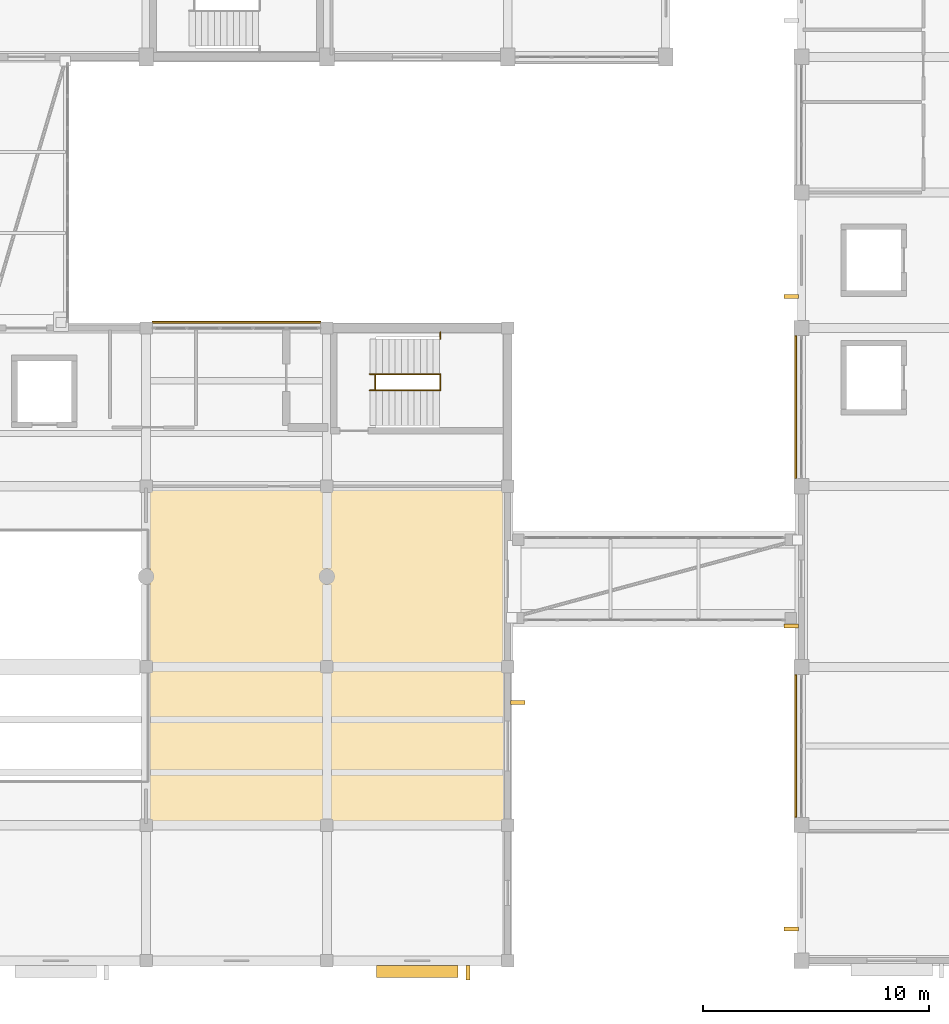
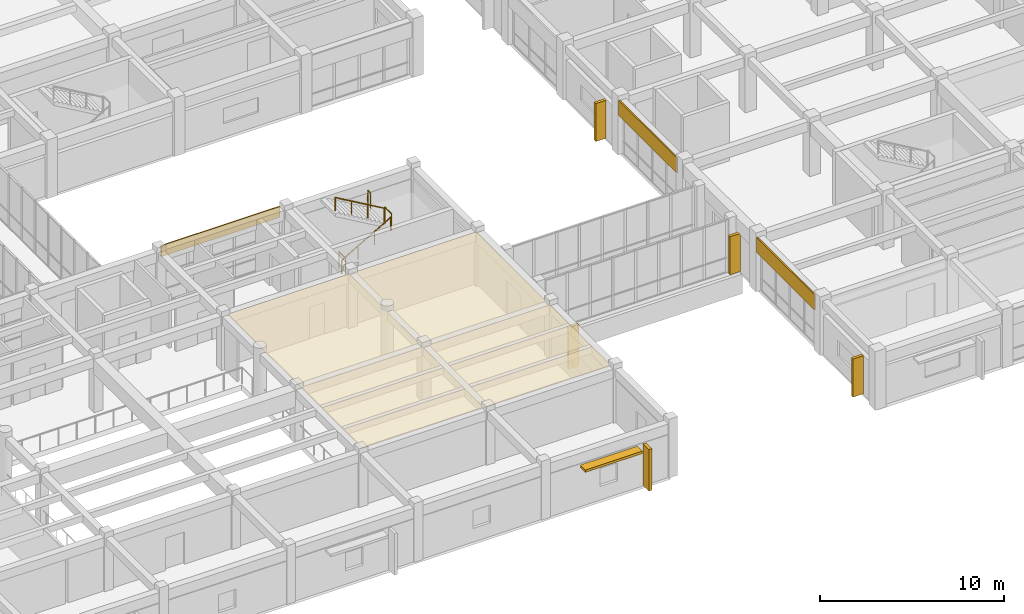
# One storey, part 61 of 66: 6 shading devices, 5 railings, 4 coverings.
"""IFC4 building model written with IfcOpenShell, lengths in metres."""

from ifc_helpers import new_model, si_unit, direction, frame, origin, origin_2d, place, context, subcontext, project, spatial, polyline, rectangle, circle, outline, extrude, material, layer, layer_set, type_object, element, save


model = new_model("IFC4")

# Units and contexts
model_context = context("Model", 3, precision=1e-05, world=origin(), true_north=direction((0.0, 1.0)))
body_context = subcontext(model_context, "Body", "Model", "MODEL_VIEW")
ifc_project = project(units=[si_unit("LENGTHUNIT", "METRE"), si_unit("AREAUNIT", "SQUARE_METRE"), si_unit("VOLUMEUNIT", "CUBIC_METRE"), si_unit("PLANEANGLEUNIT", "RADIAN"), si_unit("MASSUNIT", "GRAM", prefix="KILO")], contexts=[model_context])

# Site, building, storey
site_placement = place(None, origin())
site = spatial("IfcSite", under=ifc_project, at=site_placement, CompositionType="ELEMENT")
building_placement = place(site_placement, origin())
building = spatial("IfcBuilding", under=site, at=building_placement, Name="Naurynzar Civic Courthouse", CompositionType="ELEMENT")
storey_placement = place(building_placement, frame((0.0, 0.0, 14.39990234375)))
storey = spatial("IfcBuildingStorey", under=building, at=storey_placement, Name="L04", CompositionType="ELEMENT", Elevation=14.39990234375)

# Coverings
ifc_material_1 = material(Name="Mineral Fibre Acoustic Ceiling")
ifc_layer_1 = layer(ifc_material_1, 0.030029296875)
ifc_layer_set_1 = layer_set([ifc_layer_1], Name="CEIL-MINERAL-30")
covering_type_1 = type_object("IfcCoveringType", Name="CEIL-MINERAL-30", PredefinedType="CEILING", material=ifc_layer_set_1)
covering_1_placement = place(storey_placement, frame((0.0, 0.0, 3.51513671875)))
element("IfcCovering", 1, at=covering_1_placement, inside=storey, type_object=covering_type_1, Name="Acoustic suspended ceiling Law Library Reading Room East", PredefinedType="CEILING", context=body_context, shape_type="SweptSolid", body=[
    extrude(outline(polyline([(101.159912109375, 10.159912109375), (101.159912109375, 24.840087890625), (116.840087890625, 24.840087890625), (116.840087890625, 10.159912109375), (101.159912109375, 10.159912109375)])), origin(), (0.0, 0.0, 1.0), 0.030029296875),
])
ifc_material_2 = material(Name="Precast concrete C40/50", Category="concrete")
ifc_layer_2 = layer(ifc_material_2, 0.080078125)
ifc_layer_set_2 = layer_set([ifc_layer_2], Name="COV-CLAD-PRECAST-80")
covering_type_2 = type_object("IfcCoveringType", Name="COV-CLAD-PRECAST-80", PredefinedType="CLADDING", material=ifc_layer_set_2)
covering_2_placement = place(storey_placement, frame((105.0, 32.2548828125, 2.84033203125), z_axis=(0.0, 0.0, 1.0), x_axis=(1.0, 0.0, 0.0)))
element("IfcCovering", 2, at=covering_2_placement, inside=storey, type_object=covering_type_2, Name="V3 precast spandrel cladding 72", PredefinedType="CLADDING", context=body_context, shape_type="SweptSolid", body=[
    extrude(rectangle(XDim=7.449951171875, YDim=0.080078125, at=origin_2d()), origin(), (0.0, 0.0, 1.0), 0.719970703125),
])
for number, where, z_axis, x_axis, name in (
    (3, (129.7451171875, 13.5, 2.60986328125), (0.0, 0.0, 1.0), (0.0, 1.0, 0.0), "V5 precast spandrel cladding 97"),
    (4, (129.7451171875, 28.5, 2.60986328125), (0.0, 0.0, 1.0), (0.0, 1.0, 0.0), "V5 precast spandrel cladding 98"),
):
    element("IfcCovering", number, at=place(storey_placement, frame(where, z_axis=z_axis, x_axis=x_axis)), inside=storey, type_object=covering_type_2, Name=name, PredefinedType="CLADDING", context=body_context, shape_type="SweptSolid", body=[
        extrude(rectangle(XDim=6.324951171875, YDim=0.080078125, at=origin_2d()), origin(), (0.0, 0.0, 1.0), 1.010009765625),
    ])

# Railings
ifc_material_3 = material(Name="Brushed Stainless Steel 304", Category="steel")
railing_type_1 = type_object("IfcRailingType", Name="RAIL-BAL-1100", PredefinedType="BALUSTRADE", material=ifc_material_3)
for number, where, name in (
    (5, (111.139892578125, 29.239990234375, 0.0), "Stair ST-V3B floor well slot guard L04"),
    (6, (114.02001953125, 29.239990234375, 1.9501953125), "Stair ST-V3B-L04 half-landing well guard"),
):
    element("IfcRailing", number, at=place(storey_placement, frame(where)), inside=storey, type_object=railing_type_1, Name=name, PredefinedType="BALUSTRADE", context=body_context, shape_type="SweptSolid", body=[
        extrude(circle(Radius=0.02392578125, at=origin_2d()), frame((0.0, 0.0, 1.09619140625), z_axis=(0.0, 1.0, 0.0), x_axis=(-1.0, 0.0, 0.0)), (0.0, 0.0, 1.0), 0.719970703125),
        extrude(circle(Radius=0.02099609375, at=origin_2d()), origin(), (0.0, 0.0, 1.0), 1.072021484375),
        extrude(circle(Radius=0.02099609375, at=origin_2d()), frame((0.0, 0.719970703125, 0.0)), (0.0, 0.0, 1.0), 1.072021484375),
    ])
railing_1_placement = place(storey_placement, frame((114.02001953125, 31.52001953125, 1.9501953125)))
element("IfcRailing", 7, at=railing_1_placement, inside=storey, type_object=railing_type_1, Name="Stair ST-V3B-L04 half-landing north slot guard", PredefinedType="BALUSTRADE", context=body_context, shape_type="SweptSolid", body=[
    extrude(circle(Radius=0.02392578125, at=origin_2d()), frame((0.0, 0.0, 1.09619140625), z_axis=(0.0, 1.0, 0.0), x_axis=(-1.0, 0.0, 0.0)), (0.0, 0.0, 1.0), 0.284912109375),
    extrude(circle(Radius=0.02099609375, at=origin_2d()), origin(), (0.0, 0.0, 1.0), 1.072021484375),
    extrude(circle(Radius=0.02099609375, at=origin_2d()), frame((0.0, 0.284912109375, 0.0)), (0.0, 0.0, 1.0), 1.072021484375),
])
ifc_material_4 = material(Name="Brushed Stainless Steel 304", Category="steel")
railing_type_2 = type_object("IfcRailingType", Name="RAIL-HR-900", PredefinedType="HANDRAIL", material=ifc_material_4)
railing_2_placement = place(storey_placement, frame((110.89990234375, 29.239990234375, 0.16259765625)))
element("IfcRailing", 8, at=railing_2_placement, inside=storey, type_object=railing_type_2, Name="Stair ST-V3B-L04 flight 1 handrail", PredefinedType="HANDRAIL", context=body_context, shape_type="SweptSolid", body=[
    extrude(circle(Radius=0.02392578125, at=origin_2d()), frame((0.0, 0.0, 0.8759765625), z_axis=(0.864890721111, 0.0, 0.501960198159), x_axis=(0.0, 1.0, 0.0)), (0.0, 0.0, 1.0), 3.561279296875),
    extrude(circle(Radius=0.02099609375, at=origin_2d()), origin(), (0.0, 0.0, 1.0), 0.851806640625),
    extrude(circle(Radius=0.02099609375, at=origin_2d()), frame((1.026611328125, 0.0, 0.595947265625)), (0.0, 0.0, 1.0), 0.851806640625),
    extrude(circle(Radius=0.02099609375, at=origin_2d()), frame((2.053466796875, 0.0, 1.191650390625)), (0.0, 0.0, 1.0), 0.851806640625),
    extrude(circle(Radius=0.02099609375, at=origin_2d()), frame((3.080078125, 0.0, 1.78759765625)), (0.0, 0.0, 1.0), 0.851806640625),
])
railing_3_placement = place(storey_placement, frame((113.97998046875, 29.9599609375, 2.112548828125)))
element("IfcRailing", 9, at=railing_3_placement, inside=storey, type_object=railing_type_2, Name="Stair ST-V3B-L04 flight 2 handrail", PredefinedType="HANDRAIL", context=body_context, shape_type="SweptSolid", body=[
    extrude(circle(Radius=0.02392578125, at=origin_2d()), frame((0.0, 0.0, 0.8759765625), z_axis=(-0.864890721111, 0.0, 0.501960198159), x_axis=(0.0, -1.0, 0.0)), (0.0, 0.0, 1.0), 3.561279296875),
    extrude(circle(Radius=0.02099609375, at=origin_2d()), origin(), (0.0, 0.0, 1.0), 0.851806640625),
    extrude(circle(Radius=0.02099609375, at=origin_2d()), frame((-1.026611328125, 0.0, 0.595947265625)), (0.0, 0.0, 1.0), 0.851806640625),
    extrude(circle(Radius=0.02099609375, at=origin_2d()), frame((-2.053466796875, 0.0, 1.191650390625)), (0.0, 0.0, 1.0), 0.851806640625),
    extrude(circle(Radius=0.02099609375, at=origin_2d()), frame((-3.080078125, 0.0, 1.78759765625)), (0.0, 0.0, 1.0), 0.851806640625),
])

# Shading devices
ifc_material_5 = material(Name="Precast concrete C40/50", Category="concrete")
shading_device_type_1 = type_object("IfcShadingDeviceType", Name="SHD-FIN-V650", PredefinedType="JALOUSIE", material=ifc_material_5)
for number, where, z_axis, x_axis, name in (
    (10, (117.449951171875, 15.43505859375, 0.0400390625), (0.0, 0.0, 1.0), (0.0, -1.0, 0.0), "V3 vertical brise-soleil fin 48"),
    (11, (115.235107421875, 3.469970703125, 0.0400390625), (0.0, 0.0, 1.0), (-1.0, 0.0, 0.0), "V3 vertical brise-soleil fin 49"),
):
    element("IfcShadingDevice", number, at=place(storey_placement, frame(where, z_axis=z_axis, x_axis=x_axis)), inside=storey, type_object=shading_device_type_1, Name=name, PredefinedType="JALOUSIE", context=body_context, shape_type="SweptSolid", body=[
        extrude(rectangle(XDim=0.179931640625, YDim=0.64990234375, at=origin_2d()), origin(), (0.0, 0.0, 1.0), 2.760009765625),
    ])
for number, where, z_axis, x_axis, name in (
    (12, (129.550048828125, 5.402587890625, 0.0400390625), (0.0, 0.0, 1.0), (0.0, 1.0, 0.0), "V5 vertical brise-soleil fin 80"),
    (13, (129.550048828125, 18.802490234375, 0.0400390625), (0.0, 0.0, 1.0), (0.0, 1.0, 0.0), "V5 vertical brise-soleil fin 81"),
    (14, (129.550048828125, 33.402587890625, 0.0400390625), (0.0, 0.0, 1.0), (0.0, 1.0, 0.0), "V5 vertical brise-soleil fin 82"),
):
    element("IfcShadingDevice", number, at=place(storey_placement, frame(where, z_axis=z_axis, x_axis=x_axis)), inside=storey, type_object=shading_device_type_1, Name=name, PredefinedType="JALOUSIE", context=body_context, shape_type="SweptSolid", body=[
        extrude(rectangle(XDim=0.179931640625, YDim=0.64990234375, at=origin_2d()), origin(), (0.0, 0.0, 1.0), 2.530029296875),
    ])
ifc_material_6 = material(Name="Precast concrete C40/50", Category="concrete")
shading_device_type_2 = type_object("IfcShadingDeviceType", Name="SHD-LOUV-H550", PredefinedType="SHUTTER", material=ifc_material_6)
shading_device_placement = place(storey_placement, frame((113.0, 3.52001953125, 2.60009765625), z_axis=(0.0, 0.0, 1.0), x_axis=(-1.0, 0.0, 0.0)))
element("IfcShadingDevice", 15, at=shading_device_placement, inside=storey, type_object=shading_device_type_2, Name="V3 horizontal solar sun-breaker 49", PredefinedType="SHUTTER", context=body_context, shape_type="SweptSolid", body=[
    extrude(rectangle(XDim=3.60009765625, YDim=0.550048828125, at=origin_2d()), origin(), (0.0, 0.0, 1.0), 0.159912109375),
])

save(model, "model.ifc")
